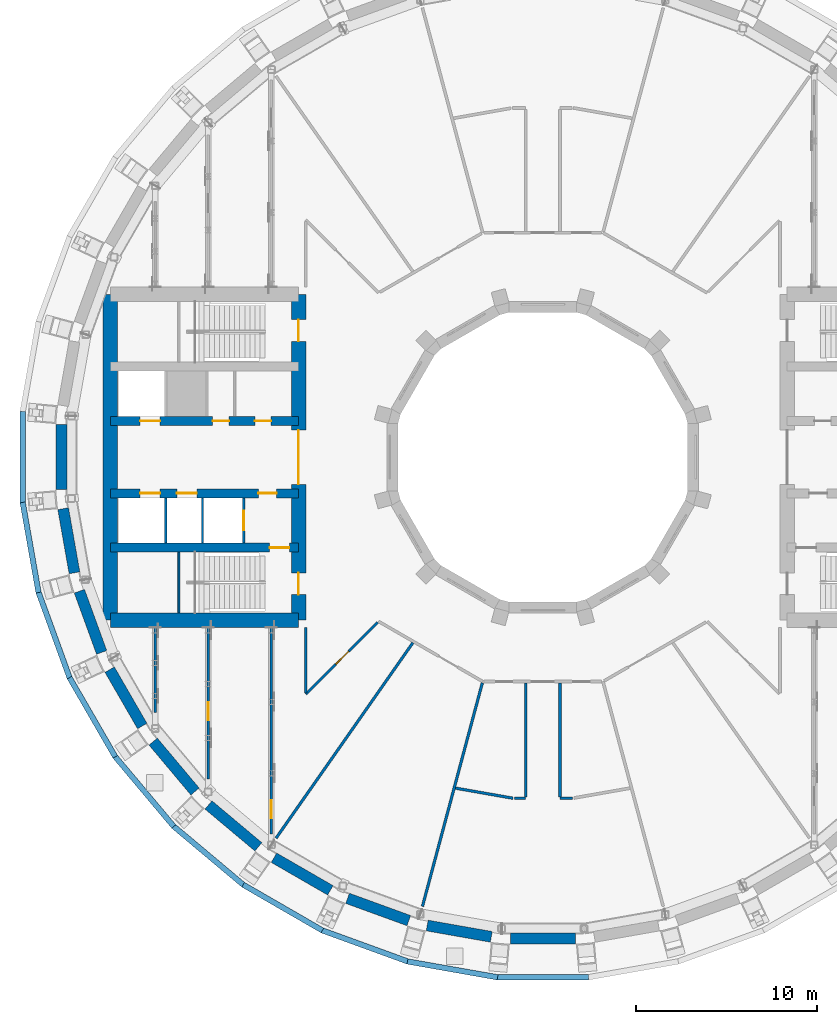
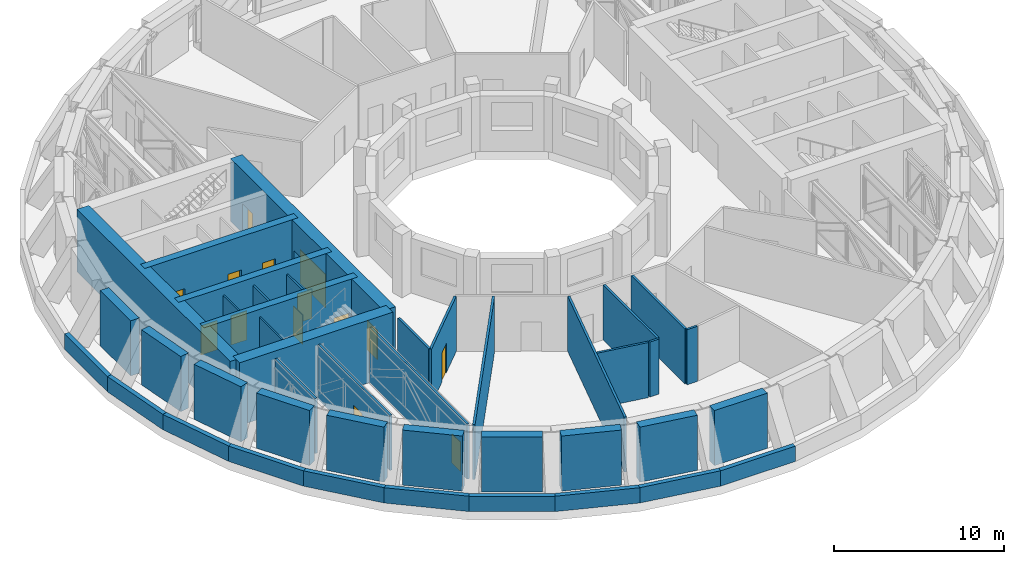
# One storey, part 9 of 19: 42 walls, 14 doors, 14 openings.
"""IFC4 building model written with IfcOpenShell, lengths in metres."""

from ifc_helpers import new_model, si_unit, direction, frame, frame_2d, origin, place, context, subcontext, project, spatial, rectangle, extrude, material, layer, layer_set, type_object, element, fill, save


model = new_model("IFC4")

# Units and contexts
model_context = context("Model", 3, precision=1e-05, world=origin(), true_north=direction((0.0, 1.0)))
body_context = subcontext(model_context, "Body", "Model", "MODEL_VIEW")
ifc_project = project(units=[si_unit("LENGTHUNIT", "METRE"), si_unit("AREAUNIT", "SQUARE_METRE"), si_unit("VOLUMEUNIT", "CUBIC_METRE"), si_unit("PLANEANGLEUNIT", "RADIAN"), si_unit("MASSUNIT", "GRAM", prefix="KILO")], contexts=[model_context])

# Site, building, storey
site_placement = place(None, origin())
site = spatial("IfcSite", under=ifc_project, at=site_placement, CompositionType="ELEMENT")
building_placement = place(site_placement, origin())
building = spatial("IfcBuilding", under=site, at=building_placement, Name="Saqina Gate Tower", CompositionType="ELEMENT")
storey_placement = place(building_placement, frame((0.0, 0.0, 82.39990234375)))
storey = spatial("IfcBuildingStorey", under=building, at=storey_placement, Name="L23", CompositionType="ELEMENT", Elevation=82.39990234375)

# Walls
ifc_material_1 = material(Name="Brick masonry (buff)", Category="masonry")
ifc_layer_1 = layer(ifc_material_1, 0.60009765625)
ifc_layer_set_1 = layer_set([ifc_layer_1], Name="FW-BRICK-BUFF")
wall_type_1 = type_object("IfcWallType", Name="FW-BRICK-BUFF", PredefinedType="SOLIDWALL", material=ifc_layer_set_1)
for number, where, z_axis, x_axis, name in (
    (1, (-23.933349609375, -11.74072265625, 0.0), (0.0, 0.0, 1.0), (0.499992664208, -0.866029639064, 0.0), "Facade wall L23 facet 21"),
    (2, (-21.531005859375, -15.718505859375, 0.0), (0.0, 0.0, 1.0), (0.642797301232, -0.766036310843, 0.0), "Facade wall L23 facet 22"),
    (3, (-18.474365234375, -19.218505859375, 0.0), (0.0, 0.0, 1.0), (0.766036310843, -0.642797301232, 0.0), "Facade wall L23 facet 23"),
    (4, (-14.8564453125, -22.134521484375, 0.0), (0.0, 0.0, 1.0), (0.866029639064, -0.499992664208, 0.0), "Facade wall L23 facet 24"),
    (5, (-10.787109375, -24.3779296875, 0.0), (0.0, 0.0, 1.0), (0.939690348845, -0.342026385367, 0.0), "Facade wall L23 facet 25"),
    (6, (-6.39013671875, -25.880859375, 0.0), (0.0, 0.0, 1.0), (0.984806095124, -0.173657579756, 0.0), "Facade wall L23 facet 26"),
    (7, (-1.798828125, -26.59716796875, 0.0), (0.0, 0.0, 1.0), (1.0, 0.0, 0.0), "Facade wall L23 facet 27"),
):
    element("IfcWall", number, at=place(storey_placement, frame(where, z_axis=z_axis, x_axis=x_axis)), inside=storey, type_object=wall_type_1, Name=name, PredefinedType="SOLIDWALL", context=body_context, shape_type="SweptSolid", body=[
        extrude(rectangle(XDim=3.59765625, YDim=0.60009765625, at=frame_2d((1.798828125, 0.0))), origin(), (0.0, 0.0, 1.0), 3.9501953125),
    ])
ifc_material_2 = material(Name="Glazed ceramic tile", Category="ceramic")
ifc_layer_2 = layer(ifc_material_2, 0.60009765625)
ifc_layer_set_2 = layer_set([ifc_layer_2], Name="FW-TILE")
wall_type_2 = type_object("IfcWallType", Name="FW-TILE", PredefinedType="SOLIDWALL", material=ifc_layer_set_2)
for number, where, z_axis, x_axis, name in (
    (8, (-26.59716796875, 1.798828125, 0.0), (0.0, 0.0, 1.0), (0.0, -1.0, 0.0), "Facade wall L23 facet 18"),
    (9, (-25.6083984375, -7.406494140625, 0.0), (0.0, 0.0, 1.0), (0.342026385367, -0.939690348845, 0.0), "Facade wall L23 facet 20"),
):
    element("IfcWall", number, at=place(storey_placement, frame(where, z_axis=z_axis, x_axis=x_axis)), inside=storey, type_object=wall_type_2, Name=name, PredefinedType="SOLIDWALL", context=body_context, shape_type="SweptSolid", body=[
        extrude(rectangle(XDim=3.59765625, YDim=0.60009765625, at=frame_2d((1.798828125, 0.0))), origin(), (0.0, 0.0, 1.0), 3.9501953125),
    ])
ifc_material_3 = material(Name="Glazed ceramic tile (dark blue)", Category="ceramic")
ifc_layer_3 = layer(ifc_material_3, 0.60009765625)
ifc_layer_set_3 = layer_set([ifc_layer_3], Name="FW-TILE-CB")
wall_type_3 = type_object("IfcWallType", Name="FW-TILE-CB", PredefinedType="SOLIDWALL", material=ifc_layer_set_3)
wall_1_placement = place(storey_placement, frame((-26.505615234375, -2.84716796875, 0.0), z_axis=(0.0, 0.0, 1.0), x_axis=(0.173657579756, -0.984806095124, 0.0)))
element("IfcWall", 10, at=wall_1_placement, inside=storey, type_object=wall_type_3, Name="Facade wall L23 facet 19", PredefinedType="SOLIDWALL", context=body_context, shape_type="SweptSolid", body=[
    extrude(rectangle(XDim=3.59765625, YDim=0.60009765625, at=frame_2d((1.798828125, 0.0))), origin(), (0.0, 0.0, 1.0), 3.9501953125),
])
ifc_material_4 = material(Name="Brick masonry (buff)", Category="masonry")
ifc_layer_4 = layer(ifc_material_4, 0.300048828125)
ifc_layer_set_4 = layer_set([ifc_layer_4], Name="PA-ROOF")
wall_type_4 = type_object("IfcWallType", Name="PA-ROOF", PredefinedType="PARAPET", material=ifc_layer_set_4)
for number, where, z_axis, x_axis, name in (
    (11, (-28.739501953125, 2.527587890625, 0.0), (0.0, 0.0, 1.0), (0.0, -1.0, 0.0), "Parapet L23 edge 18"),
    (12, (-28.741943359375, -2.50146484375, 0.0), (0.0, 0.0, 1.0), (0.173672372016, -0.984803486589, 0.0), "Parapet L23 edge 19"),
):
    element("IfcWall", number, at=place(storey_placement, frame(where, z_axis=z_axis, x_axis=x_axis)), inside=storey, type_object=wall_type_4, Name=name, PredefinedType="PARAPET", context=body_context, shape_type="SweptSolid", body=[
        extrude(rectangle(XDim=5.05517578125, YDim=0.300048828125, at=frame_2d((2.527587890625, 0.0))), origin(), (0.0, 0.0, 1.0), 1.10009765625),
    ])
for number, where, z_axis, x_axis, name in (
    (13, (-27.870849609375, -7.454345703125, 0.0), (0.0, 0.0, 1.0), (0.341987354158, -0.939704554419, 0.0), "Parapet L23 edge 20"),
    (14, (-26.153076171875, -12.180908203125, 0.0), (0.0, 0.0, 1.0), (0.500019282102, -0.866014270972, 0.0), "Parapet L23 edge 21"),
    (15, (-23.640380859375, -16.537353515625, 0.0), (0.0, 0.0, 1.0), (0.64278876462, -0.766043474013, 0.0), "Parapet L23 edge 22"),
    (16, (-20.40966796875, -20.39111328125, 0.0), (0.0, 0.0, 1.0), (0.766043474013, -0.64278876462, 0.0), "Parapet L23 edge 23"),
    (17, (-16.55859375, -23.62548828125, 0.0), (0.0, 0.0, 1.0), (0.866014270972, -0.500019282102, 0.0), "Parapet L23 edge 24"),
    (18, (-12.20458984375, -26.14208984375, 0.0), (0.0, 0.0, 1.0), (0.939704554419, -0.341987354158, 0.0), "Parapet L23 edge 25"),
):
    element("IfcWall", number, at=place(storey_placement, frame(where, z_axis=z_axis, x_axis=x_axis)), inside=storey, type_object=wall_type_4, Name=name, PredefinedType="PARAPET", context=body_context, shape_type="SweptSolid", body=[
        extrude(rectangle(XDim=5.054931640625, YDim=0.300048828125, at=frame_2d((2.52734375, 0.0))), origin(), (0.0, 0.0, 1.0), 1.10009765625),
    ])
for number, where, z_axis, x_axis, name in (
    (19, (-7.479736328125, -27.864013671875, 0.0), (0.0, 0.0, 1.0), (0.984803486589, -0.173672372016, 0.0), "Parapet L23 edge 26"),
    (20, (-2.527587890625, -28.739501953125, 0.0), (0.0, 0.0, 1.0), (1.0, 0.0, 0.0), "Parapet L23 edge 27"),
):
    element("IfcWall", number, at=place(storey_placement, frame(where, z_axis=z_axis, x_axis=x_axis)), inside=storey, type_object=wall_type_4, Name=name, PredefinedType="PARAPET", context=body_context, shape_type="SweptSolid", body=[
        extrude(rectangle(XDim=5.05517578125, YDim=0.300048828125, at=frame_2d((2.527587890625, 0.0))), origin(), (0.0, 0.0, 1.0), 1.10009765625),
    ])

# Wall, opening, door
ifc_material_5 = material(Name="Autoclaved aerated concrete block", Category="concrete")
ifc_layer_5 = layer(ifc_material_5, 0.1201171875)
ifc_layer_set_5 = layer_set([ifc_layer_5], Name="SHAFT PARTITION")
wall_type_5 = type_object("IfcWallType", Name="SHAFT PARTITION", PredefinedType="PARTITIONING", material=ifc_layer_set_5)
wall_2_placement = place(storey_placement, frame((-16.530029296875, -4.75, 0.0), z_axis=(0.0, 0.0, 1.0), x_axis=(0.0, 1.0, 0.0)))
wall_2 = element("IfcWall", 21, at=wall_2_placement, inside=storey, type_object=wall_type_5, Name="L23-CP-W04", PredefinedType="PARTITIONING", context=body_context, shape_type="SweptSolid", body=[
    extrude(rectangle(XDim=2.5, YDim=0.1201171875, at=frame_2d((1.25, 0.0))), origin(), (0.0, 0.0, 1.0), 3.9501953125),
])
opening_1_placement = place(wall_2_placement, frame((0.699951171875, 0.0, 0.0)))
opening_1 = element("IfcOpeningElement", 22, at=opening_1_placement, cuts=wall_2, Name="Opening L23-LD6", PredefinedType="OPENING", context=body_context, shape_type="SweptSolid", body=[
    extrude(rectangle(XDim=1.10009765625, YDim=2.10009765625, at=frame_2d((0.550048828125, 1.050048828125))), frame((0.0, 0.072021484375, 0.0), z_axis=(0.0, -1.0, 0.0), x_axis=(1.0, 0.0, 0.0)), (0.0, 0.0, 1.0), 0.14404296875),
])
ifc_material_6 = material(Name="Stainless steel", Category="steel")
door_type_1 = type_object("IfcDoorType", Name="LANDING DOOR", OperationType="DOUBLE_DOOR_SLIDING", PredefinedType="DOOR", material=ifc_material_6)
door_1_placement = place(opening_1_placement, origin())
door_1 = element("IfcDoor", 23, at=door_1_placement, inside=storey, type_object=door_type_1, Name="LANDING DOOR FF2", OperationType="DOUBLE_DOOR_SLIDING", OverallHeight=2.10009765625, OverallWidth=1.10009765625, PredefinedType="DOOR", context=body_context, shape_type="SweptSolid", body=[
    extrude(rectangle(XDim=1.10009765625, YDim=2.10009765625, at=frame_2d((0.550048828125, 1.050048828125))), frame((0.0, 0.02490234375, 0.0), z_axis=(0.0, -1.0, 0.0), x_axis=(1.0, 0.0, 0.0)), (0.0, 0.0, 1.0), 0.050048828125),
])
fill(opening_1, door_1)

# Walls
for number, where, z_axis, x_axis, name in (
    (24, (-18.81005859375, -4.75, 0.0), (0.0, 0.0, 1.0), (0.0, 1.0, 0.0), "L23-CP-W05"),
    (25, (-20.840087890625, -4.75, 0.0), (0.0, 0.0, 1.0), (0.0, 1.0, 0.0), "L23-CP-W06"),
):
    element("IfcWall", number, at=place(storey_placement, frame(where, z_axis=z_axis, x_axis=x_axis)), inside=storey, type_object=wall_type_5, Name=name, PredefinedType="PARTITIONING", context=body_context, shape_type="SweptSolid", body=[
        extrude(rectangle(XDim=2.5, YDim=0.1201171875, at=frame_2d((1.25, 0.0))), origin(), (0.0, 0.0, 1.0), 3.9501953125),
    ])
ifc_material_7 = material(Name="Masonry block and plaster, 150 mm, fire rated", Category="masonry")
ifc_layer_6 = layer(ifc_material_7, 0.14990234375)
ifc_layer_set_6 = layer_set([ifc_layer_6], Name="SPECIAL PARTITION EI 60 150")
wall_type_6 = type_object("IfcWallType", Name="SPECIAL PARTITION EI 60 150", PredefinedType="PARTITIONING", material=ifc_layer_set_6)
wall_3_placement = place(storey_placement, frame((-4.822998046875, -18.2880859375, 0.0), z_axis=(0.0, 0.0, 1.0), x_axis=(0.984852116405, -0.173396392158, 0.0)))
element("IfcWall", 26, at=wall_3_placement, inside=storey, type_object=wall_type_6, Name="PARTITION 009", PredefinedType="PARTITIONING", context=body_context, shape_type="SweptSolid", body=[
    extrude(rectangle(XDim=3.222900390625, YDim=0.14990234375, at=frame_2d((1.611328125, 0.0))), origin(), (0.0, 0.0, 1.0), 3.9501953125),
])
wall_4_placement = place(storey_placement, frame((-1.573974609375, -18.846923828125, 0.0), z_axis=(0.0, 0.0, 1.0), x_axis=(1.0, 0.0, 0.0)))
element("IfcWall", 27, at=wall_4_placement, inside=storey, type_object=wall_type_6, Name="PARTITION 011", PredefinedType="PARTITIONING", context=body_context, shape_type="SweptSolid", body=[
    extrude(rectangle(XDim=0.6240234375, YDim=0.14990234375, at=frame_2d((0.31201171875, 0.0))), origin(), (0.0, 0.0, 1.0), 3.9501953125),
])
wall_5_placement = place(storey_placement, frame((0.949951171875, -18.846923828125, 0.0), z_axis=(0.0, 0.0, 1.0), x_axis=(1.0, 0.0, 0.0)))
element("IfcWall", 28, at=wall_5_placement, inside=storey, type_object=wall_type_6, Name="PARTITION 012", PredefinedType="PARTITIONING", context=body_context, shape_type="SweptSolid", body=[
    extrude(rectangle(XDim=0.698974609375, YDim=0.14990234375, at=frame_2d((0.349609375, 0.0))), origin(), (0.0, 0.0, 1.0), 3.9501953125),
])

# Wall, opening, door
wall_6_placement = place(storey_placement, frame((-13.10009765625, -13.10009765625, 0.0), z_axis=(0.0, 0.0, 1.0), x_axis=(0.707106781187, 0.707106781187, 0.0)))
wall_6 = element("IfcWall", 29, at=wall_6_placement, inside=storey, type_object=wall_type_6, Name="PARTITION 021", PredefinedType="PARTITIONING", context=body_context, shape_type="SweptSolid", body=[
    extrude(rectangle(XDim=5.61474609375, YDim=0.14990234375, at=frame_2d((2.807373046875, 0.0))), origin(), (0.0, 0.0, 1.0), 3.9501953125),
])
opening_2_placement = place(wall_6_placement, frame((2.3447265625, 0.0, 0.0)))
opening_2 = element("IfcOpeningElement", 30, at=opening_2_placement, cuts=wall_6, Name="Opening L23-D13", PredefinedType="OPENING", context=body_context, shape_type="SweptSolid", body=[
    extrude(rectangle(XDim=1.0, YDim=2.10009765625, at=frame_2d((0.5, 1.050048828125))), frame((0.0, 0.0869140625, 0.0), z_axis=(0.0, -1.0, 0.0), x_axis=(1.0, 0.0, 0.0)), (0.0, 0.0, 1.0), 0.173828125),
])
ifc_material_8 = material(Name="Steel-framed fire door leaf, EI 60", Category="steel")
door_type_2 = type_object("IfcDoorType", Name="SPECIAL DOOR 1000 FIRE EI 60", OperationType="SINGLE_SWING_LEFT", PredefinedType="DOOR", material=ifc_material_8)
door_2_placement = place(opening_2_placement, frame((1.0, 0.0, 0.0), z_axis=(0.0, 0.0, 1.0), x_axis=(-1.0, 0.0, 0.0)))
door_2 = element("IfcDoor", 31, at=door_2_placement, inside=storey, type_object=door_type_2, Name="DOOR L23-D13", OperationType="SINGLE_SWING_LEFT", OverallHeight=2.10009765625, OverallWidth=1.0, PredefinedType="DOOR", context=body_context, shape_type="SweptSolid", body=[
    extrude(rectangle(XDim=1.0, YDim=2.10009765625, at=frame_2d((0.5, 1.050048828125))), frame((0.0, 0.02490234375, 0.0), z_axis=(0.0, -1.0, 0.0), x_axis=(1.0, 0.0, 0.0)), (0.0, 0.0, 1.0), 0.050048828125),
])
fill(opening_2, door_2)

# Walls
wall_7_placement = place(storey_placement, frame((-14.740966796875, -21.052001953125, 0.0), z_axis=(0.0, 0.0, 1.0), x_axis=(0.573601596314, 0.819134426518, 0.0)))
element("IfcWall", 32, at=wall_7_placement, inside=storey, type_object=wall_type_6, Name="PARTITION 023", PredefinedType="PARTITIONING", context=body_context, shape_type="SweptSolid", body=[
    extrude(rectangle(XDim=13.177734375, YDim=0.14990234375, at=frame_2d((6.5888671875, 0.0))), origin(), (0.0, 0.0, 1.0), 3.9501953125),
])
wall_8_placement = place(storey_placement, frame((-6.652099609375, -24.823974609375, 0.0), z_axis=(0.0, 0.0, 1.0), x_axis=(0.258835334672, 0.965921461365, 0.0)))
element("IfcWall", 33, at=wall_8_placement, inside=storey, type_object=wall_type_6, Name="PARTITION 025", PredefinedType="PARTITIONING", context=body_context, shape_type="SweptSolid", body=[
    extrude(rectangle(XDim=12.787353515625, YDim=0.14990234375, at=frame_2d((6.3935546875, 0.0))), origin(), (0.0, 0.0, 1.0), 3.9501953125),
])
for number, where, z_axis, x_axis, name in (
    (34, (0.949951171875, -18.77197265625, 0.0), (0.0, 0.0, 1.0), (0.0, 1.0, 0.0), "PARTITION 035"),
    (35, (-0.949951171875, -18.77197265625, 0.0), (0.0, 0.0, 1.0), (0.0, 1.0, 0.0), "PARTITION 037"),
):
    element("IfcWall", number, at=place(storey_placement, frame(where, z_axis=z_axis, x_axis=x_axis)), inside=storey, type_object=wall_type_6, Name=name, PredefinedType="PARTITIONING", context=body_context, shape_type="SweptSolid", body=[
        extrude(rectangle(XDim=6.296875, YDim=0.14990234375, at=frame_2d((3.1484375, 0.0))), origin(), (0.0, 0.0, 1.0), 3.9501953125),
    ])
wall_9_placement = place(storey_placement, frame((-13.10009765625, -13.02490234375, 0.0), z_axis=(0.0, 0.0, 1.0), x_axis=(0.0, 1.0, 0.0)))
element("IfcWall", 36, at=wall_9_placement, inside=storey, type_object=wall_type_6, Name="PARTITION 039", PredefinedType="PARTITIONING", context=body_context, shape_type="SweptSolid", body=[
    extrude(rectangle(XDim=3.625, YDim=0.14990234375, at=frame_2d((1.8125, 0.0))), origin(), (0.0, 0.0, 1.0), 3.9501953125),
])

# Wall, opening, door
wall_10_placement = place(storey_placement, frame((-14.9990234375, -20.8359375, 0.0), z_axis=(0.0, 0.0, 1.0), x_axis=(0.0, 1.0, 0.0)))
wall_10 = element("IfcWall", 37, at=wall_10_placement, inside=storey, type_object=wall_type_6, Name="PARTITION 041", PredefinedType="PARTITIONING", context=body_context, shape_type="SweptSolid", body=[
    extrude(rectangle(XDim=11.43603515625, YDim=0.14990234375, at=frame_2d((5.718017578125, 0.0))), origin(), (0.0, 0.0, 1.0), 3.9501953125),
])
opening_3_placement = place(wall_10_placement, frame((0.890380859375, 0.0, 0.0)))
opening_3 = element("IfcOpeningElement", 38, at=opening_3_placement, cuts=wall_10, Name="Opening L23-D14", PredefinedType="OPENING", context=body_context, shape_type="SweptSolid", body=[
    extrude(rectangle(XDim=1.0, YDim=2.10009765625, at=frame_2d((0.5, 1.050048828125))), frame((0.0, 0.0869140625, 0.0), z_axis=(0.0, -1.0, 0.0), x_axis=(1.0, 0.0, 0.0)), (0.0, 0.0, 1.0), 0.173828125),
])
door_3_placement = place(opening_3_placement, frame((1.0, 0.0, 0.0), z_axis=(0.0, 0.0, 1.0), x_axis=(-1.0, 0.0, 0.0)))
door_3 = element("IfcDoor", 39, at=door_3_placement, inside=storey, type_object=door_type_2, Name="DOOR L23-D14", OperationType="SINGLE_SWING_RIGHT", OverallHeight=2.10009765625, OverallWidth=1.0, PredefinedType="DOOR", context=body_context, shape_type="SweptSolid", body=[
    extrude(rectangle(XDim=1.0, YDim=2.10009765625, at=frame_2d((0.5, 1.050048828125))), frame((0.0, 0.02490234375, 0.0), z_axis=(0.0, -1.0, 0.0), x_axis=(1.0, 0.0, 0.0)), (0.0, 0.0, 1.0), 0.050048828125),
])
fill(opening_3, door_3)

wall_11_placement = place(storey_placement, frame((-18.490966796875, -17.7939453125, 0.0), z_axis=(0.0, 0.0, 1.0), x_axis=(0.0, 1.0, 0.0)))
wall_11 = element("IfcWall", 40, at=wall_11_placement, inside=storey, type_object=wall_type_6, Name="PARTITION 043", PredefinedType="PARTITIONING", context=body_context, shape_type="SweptSolid", body=[
    extrude(rectangle(XDim=8.39404296875, YDim=0.14990234375, at=frame_2d((4.197021484375, 0.0))), origin(), (0.0, 0.0, 1.0), 3.9501953125),
])
opening_4_placement = place(wall_11_placement, frame((3.264404296875, 0.0, 0.0)))
opening_4 = element("IfcOpeningElement", 41, at=opening_4_placement, cuts=wall_11, Name="Opening L23-D12", PredefinedType="OPENING", context=body_context, shape_type="SweptSolid", body=[
    extrude(rectangle(XDim=1.0, YDim=2.10009765625, at=frame_2d((0.5, 1.050048828125))), frame((0.0, 0.0869140625, 0.0), z_axis=(0.0, -1.0, 0.0), x_axis=(1.0, 0.0, 0.0)), (0.0, 0.0, 1.0), 0.173828125),
])
door_4_placement = place(opening_4_placement, frame((1.0, 0.0, 0.0), z_axis=(0.0, 0.0, 1.0), x_axis=(-1.0, 0.0, 0.0)))
door_4 = element("IfcDoor", 42, at=door_4_placement, inside=storey, type_object=door_type_2, Name="DOOR L23-D12", OperationType="SINGLE_SWING_RIGHT", OverallHeight=2.10009765625, OverallWidth=1.0, PredefinedType="DOOR", context=body_context, shape_type="SweptSolid", body=[
    extrude(rectangle(XDim=1.0, YDim=2.10009765625, at=frame_2d((0.5, 1.050048828125))), frame((0.0, 0.02490234375, 0.0), z_axis=(0.0, -1.0, 0.0), x_axis=(1.0, 0.0, 0.0)), (0.0, 0.0, 1.0), 0.050048828125),
])
fill(opening_4, door_4)

# Walls
wall_12_placement = place(storey_placement, frame((-21.4208984375, -14.10205078125, 0.0), z_axis=(0.0, 0.0, 1.0), x_axis=(0.0, 1.0, 0.0)))
element("IfcWall", 43, at=wall_12_placement, inside=storey, type_object=wall_type_6, Name="PARTITION 046", PredefinedType="PARTITIONING", context=body_context, shape_type="SweptSolid", body=[
    extrude(rectangle(XDim=4.7021484375, YDim=0.14990234375, at=frame_2d((2.35107421875, 0.0))), origin(), (0.0, 0.0, 1.0), 3.9501953125),
])
ifc_material_9 = material(Name="Autoclaved aerated concrete block", Category="concrete")
ifc_layer_7 = layer(ifc_material_9, 0.10009765625)
ifc_layer_set_7 = layer_set([ifc_layer_7], Name="STAIR ENCLOSURE WALL")
wall_type_7 = type_object("IfcWallType", Name="STAIR ENCLOSURE WALL", PredefinedType="PARTITIONING", material=ifc_layer_set_7)
wall_13_placement = place(storey_placement, frame((-20.110107421875, -8.60009765625, 0.0), z_axis=(0.0, 0.0, 1.0), x_axis=(0.0, 1.0, 0.0)))
element("IfcWall", 44, at=wall_13_placement, inside=storey, type_object=wall_type_7, Name="L23-CP-W08", PredefinedType="PARTITIONING", context=body_context, shape_type="SweptSolid", body=[
    extrude(rectangle(XDim=3.35009765625, YDim=0.10009765625, at=frame_2d((1.675048828125, 0.0))), origin(), (0.0, 0.0, 1.0), 3.9501953125),
])

# Wall, opening, door
ifc_material_10 = material(Name="Concrete C70/85", Category="concrete")
ifc_layer_8 = layer(ifc_material_10, 0.5)
ifc_layer_set_8 = layer_set([ifc_layer_8], Name="Concrete C70/85")
wall_type_8 = type_object("IfcWallType", Name="STR-CORE WALL-B-I", PredefinedType="SHEAR", material=ifc_layer_set_8)
wall_14_placement = place(storey_placement, frame((-13.5, -5.0, 0.0), z_axis=(0.0, 0.0, 1.0), x_axis=(-1.0, 0.0, 0.0)))
wall_14 = element("IfcWall", 45, at=wall_14_placement, inside=storey, type_object=wall_type_8, Name="CORE WALL L23 W-X2", PredefinedType="SHEAR", context=body_context, shape_type="SweptSolid", body=[
    extrude(rectangle(XDim=10.39990234375, YDim=0.5, at=frame_2d((5.199951171875, 0.0))), origin(), (0.0, 0.0, 1.0), 4.5),
])
opening_5_placement = place(wall_14_placement, frame((0.5, 0.0, 0.0)))
opening_5 = element("IfcOpeningElement", 46, at=opening_5_placement, cuts=wall_14, Name="Opening L23-D100", PredefinedType="OPENING", context=body_context, shape_type="SweptSolid", body=[
    extrude(rectangle(XDim=1.10009765625, YDim=2.10009765625, at=frame_2d((0.550048828125, 1.050048828125))), frame((0.0, 0.261962890625, 0.0), z_axis=(0.0, -1.0, 0.0), x_axis=(1.0, 0.0, 0.0)), (0.0, 0.0, 1.0), 0.52392578125),
])
ifc_material_11 = material(Name="Steel", Category="steel")
door_type_3 = type_object("IfcDoorType", Name="FIRE LOBBY DOOR EI 60 WIDE", OperationType="SINGLE_SWING_LEFT", PredefinedType="DOOR", material=ifc_material_11)
door_5_placement = place(opening_5_placement, origin())
door_5 = element("IfcDoor", 47, at=door_5_placement, inside=storey, type_object=door_type_3, Name="L23-CD-W11", OperationType="SINGLE_SWING_LEFT", OverallHeight=2.10009765625, OverallWidth=1.10009765625, PredefinedType="DOOR", context=body_context, shape_type="SweptSolid", body=[
    extrude(rectangle(XDim=1.10009765625, YDim=2.10009765625, at=frame_2d((0.550048828125, 1.050048828125))), frame((0.0, 0.02490234375, 0.0), z_axis=(0.0, -1.0, 0.0), x_axis=(1.0, 0.0, 0.0)), (0.0, 0.0, 1.0), 0.050048828125),
])
fill(opening_5, door_5)

# Wall, openings, doors
wall_15_placement = place(storey_placement, frame((-13.5, 2.0, 0.0), z_axis=(0.0, 0.0, 1.0), x_axis=(-1.0, 0.0, 0.0)))
wall_15 = element("IfcWall", 48, at=wall_15_placement, inside=storey, type_object=wall_type_8, Name="CORE WALL L23 W-L1", PredefinedType="SHEAR", context=body_context, shape_type="SweptSolid", body=[
    extrude(rectangle(XDim=10.39990234375, YDim=0.5, at=frame_2d((5.199951171875, 0.0))), origin(), (0.0, 0.0, 1.0), 4.5),
])
opening_6_placement = place(wall_15_placement, frame((7.64990234375, 0.0, 0.0)))
opening_6 = element("IfcOpeningElement", 49, at=opening_6_placement, cuts=wall_15, Name="Opening L23-LD5", PredefinedType="OPENING", context=body_context, shape_type="SweptSolid", body=[
    extrude(rectangle(XDim=1.10009765625, YDim=2.10009765625, at=frame_2d((0.550048828125, 1.050048828125))), frame((0.0, 0.261962890625, 0.0), z_axis=(0.0, -1.0, 0.0), x_axis=(1.0, 0.0, 0.0)), (0.0, 0.0, 1.0), 0.52392578125),
])
opening_7_placement = place(wall_15_placement, frame((1.510986328125, 0.0, 0.0)))
opening_7 = element("IfcOpeningElement", 50, at=opening_7_placement, cuts=wall_15, Name="Opening L23-D97", PredefinedType="OPENING", context=body_context, shape_type="SweptSolid", body=[
    extrude(rectangle(XDim=0.89990234375, YDim=2.10009765625, at=frame_2d((0.449951171875, 1.050048828125))), frame((0.0, 0.261962890625, 0.0), z_axis=(0.0, -1.0, 0.0), x_axis=(1.0, 0.0, 0.0)), (0.0, 0.0, 1.0), 0.52392578125),
])
opening_8_placement = place(wall_15_placement, frame((3.841064453125, 0.0, 0.0)))
opening_8 = element("IfcOpeningElement", 51, at=opening_8_placement, cuts=wall_15, Name="Opening L23-D98", PredefinedType="OPENING", context=body_context, shape_type="SweptSolid", body=[
    extrude(rectangle(XDim=0.89990234375, YDim=2.10009765625, at=frame_2d((0.449951171875, 1.050048828125))), frame((0.0, 0.261962890625, 0.0), z_axis=(0.0, -1.0, 0.0), x_axis=(1.0, 0.0, 0.0)), (0.0, 0.0, 1.0), 0.52392578125),
])
door_6_placement = place(opening_6_placement, origin())
door_6 = element("IfcDoor", 52, at=door_6_placement, inside=storey, type_object=door_type_1, Name="LANDING DOOR LR4", OperationType="DOUBLE_DOOR_SLIDING", OverallHeight=2.10009765625, OverallWidth=1.10009765625, PredefinedType="DOOR", context=body_context, shape_type="SweptSolid", body=[
    extrude(rectangle(XDim=1.10009765625, YDim=2.10009765625, at=frame_2d((0.550048828125, 1.050048828125))), frame((0.0, 0.02490234375, 0.0), z_axis=(0.0, -1.0, 0.0), x_axis=(1.0, 0.0, 0.0)), (0.0, 0.0, 1.0), 0.050048828125),
])
fill(opening_6, door_6)
ifc_material_12 = material(Name="Steel-framed fire door leaf, EI 60", Category="steel")
door_type_4 = type_object("IfcDoorType", Name="SERVICE ROOM DOOR 900", OperationType="SINGLE_SWING_LEFT", PredefinedType="DOOR", material=ifc_material_12)
door_7_placement = place(opening_7_placement, frame((0.89990234375, 0.0, 0.0), z_axis=(0.0, 0.0, 1.0), x_axis=(-1.0, 0.0, 0.0)))
door_7 = element("IfcDoor", 53, at=door_7_placement, inside=storey, type_object=door_type_4, Name="L23-CD-W08", OperationType="SINGLE_SWING_RIGHT", OverallHeight=2.10009765625, OverallWidth=0.89990234375, PredefinedType="DOOR", context=body_context, shape_type="SweptSolid", body=[
    extrude(rectangle(XDim=0.89990234375, YDim=2.10009765625, at=frame_2d((0.449951171875, 1.050048828125))), frame((0.0, 0.02490234375, 0.0), z_axis=(0.0, -1.0, 0.0), x_axis=(1.0, 0.0, 0.0)), (0.0, 0.0, 1.0), 0.050048828125),
])
fill(opening_7, door_7)
door_8_placement = place(opening_8_placement, frame((0.89990234375, 0.0, 0.0), z_axis=(0.0, 0.0, 1.0), x_axis=(-1.0, 0.0, 0.0)))
door_8 = element("IfcDoor", 54, at=door_8_placement, inside=storey, type_object=door_type_4, Name="L23-CD-W09", OperationType="SINGLE_SWING_LEFT", OverallHeight=2.10009765625, OverallWidth=0.89990234375, PredefinedType="DOOR", context=body_context, shape_type="SweptSolid", body=[
    extrude(rectangle(XDim=0.89990234375, YDim=2.10009765625, at=frame_2d((0.449951171875, 1.050048828125))), frame((0.0, 0.02490234375, 0.0), z_axis=(0.0, -1.0, 0.0), x_axis=(1.0, 0.0, 0.0)), (0.0, 0.0, 1.0), 0.050048828125),
])
fill(opening_8, door_8)

wall_16_placement = place(storey_placement, frame((-13.5, -2.0, 0.0), z_axis=(0.0, 0.0, 1.0), x_axis=(-1.0, 0.0, 0.0)))
wall_16 = element("IfcWall", 55, at=wall_16_placement, inside=storey, type_object=wall_type_8, Name="CORE WALL L23 W-L2", PredefinedType="SHEAR", context=body_context, shape_type="SweptSolid", body=[
    extrude(rectangle(XDim=10.39990234375, YDim=0.5, at=frame_2d((5.199951171875, 0.0))), origin(), (0.0, 0.0, 1.0), 4.5),
])
opening_9_placement = place(wall_16_placement, frame((5.6201171875, 0.0, 0.0)))
opening_9 = element("IfcOpeningElement", 56, at=opening_9_placement, cuts=wall_16, Name="Opening L23-LD7", PredefinedType="OPENING", context=body_context, shape_type="SweptSolid", body=[
    extrude(rectangle(XDim=1.10009765625, YDim=2.10009765625, at=frame_2d((0.550048828125, 1.050048828125))), frame((0.0, 0.261962890625, 0.0), z_axis=(0.0, -1.0, 0.0), x_axis=(1.0, 0.0, 0.0)), (0.0, 0.0, 1.0), 0.52392578125),
])
opening_10_placement = place(wall_16_placement, frame((7.64990234375, 0.0, 0.0)))
opening_10 = element("IfcOpeningElement", 57, at=opening_10_placement, cuts=wall_16, Name="Opening L23-LD8", PredefinedType="OPENING", context=body_context, shape_type="SweptSolid", body=[
    extrude(rectangle(XDim=1.10009765625, YDim=2.10009765625, at=frame_2d((0.550048828125, 1.050048828125))), frame((0.0, 0.261962890625, 0.0), z_axis=(0.0, -1.0, 0.0), x_axis=(1.0, 0.0, 0.0)), (0.0, 0.0, 1.0), 0.52392578125),
])
opening_11_placement = place(wall_16_placement, frame((1.215087890625, 0.0, 0.0)))
opening_11 = element("IfcOpeningElement", 58, at=opening_11_placement, cuts=wall_16, Name="Opening L23-D99", PredefinedType="OPENING", context=body_context, shape_type="SweptSolid", body=[
    extrude(rectangle(XDim=1.0, YDim=2.10009765625, at=frame_2d((0.5, 1.050048828125))), frame((0.0, 0.261962890625, 0.0), z_axis=(0.0, -1.0, 0.0), x_axis=(1.0, 0.0, 0.0)), (0.0, 0.0, 1.0), 0.52392578125),
])
ifc_material_13 = material(Name="Steel", Category="steel")
door_type_5 = type_object("IfcDoorType", Name="FIRE LOBBY DOOR EI 60", OperationType="SINGLE_SWING_LEFT", PredefinedType="DOOR", material=ifc_material_13)
door_9_placement = place(opening_11_placement, frame((1.0, 0.0, 0.0), z_axis=(0.0, 0.0, 1.0), x_axis=(-1.0, 0.0, 0.0)))
door_9 = element("IfcDoor", 59, at=door_9_placement, inside=storey, type_object=door_type_5, Name="L23-CD-W10", OperationType="SINGLE_SWING_RIGHT", OverallHeight=2.10009765625, OverallWidth=1.0, PredefinedType="DOOR", context=body_context, shape_type="SweptSolid", body=[
    extrude(rectangle(XDim=1.0, YDim=2.10009765625, at=frame_2d((0.5, 1.050048828125))), frame((0.0, 0.02490234375, 0.0), z_axis=(0.0, -1.0, 0.0), x_axis=(1.0, 0.0, 0.0)), (0.0, 0.0, 1.0), 0.050048828125),
])
fill(opening_11, door_9)
door_10_placement = place(opening_9_placement, origin())
door_10 = element("IfcDoor", 60, at=door_10_placement, inside=storey, type_object=door_type_1, Name="LANDING DOOR LR6", OperationType="DOUBLE_DOOR_SLIDING", OverallHeight=2.10009765625, OverallWidth=1.10009765625, PredefinedType="DOOR", context=body_context, shape_type="SweptSolid", body=[
    extrude(rectangle(XDim=1.10009765625, YDim=2.10009765625, at=frame_2d((0.550048828125, 1.050048828125))), frame((0.0, 0.02490234375, 0.0), z_axis=(0.0, -1.0, 0.0), x_axis=(1.0, 0.0, 0.0)), (0.0, 0.0, 1.0), 0.050048828125),
])
fill(opening_9, door_10)
door_11_placement = place(opening_10_placement, origin())
door_11 = element("IfcDoor", 61, at=door_11_placement, inside=storey, type_object=door_type_1, Name="LANDING DOOR LR5", OperationType="DOUBLE_DOOR_SLIDING", OverallHeight=2.10009765625, OverallWidth=1.10009765625, PredefinedType="DOOR", context=body_context, shape_type="SweptSolid", body=[
    extrude(rectangle(XDim=1.10009765625, YDim=2.10009765625, at=frame_2d((0.550048828125, 1.050048828125))), frame((0.0, 0.02490234375, 0.0), z_axis=(0.0, -1.0, 0.0), x_axis=(1.0, 0.0, 0.0)), (0.0, 0.0, 1.0), 0.050048828125),
])
fill(opening_10, door_11)

ifc_material_14 = material(Name="Concrete C70/85", Category="concrete")
ifc_layer_9 = layer(ifc_material_14, 0.800048828125)
ifc_layer_set_9 = layer_set([ifc_layer_9], Name="Concrete C70/85")
wall_type_9 = type_object("IfcWallType", Name="STR-CORE WALL-B-O", PredefinedType="SHEAR", material=ifc_layer_set_9)
wall_17_placement = place(storey_placement, frame((-13.5, -9.0, 0.0), z_axis=(0.0, 0.0, 1.0), x_axis=(0.0, 1.0, 0.0)))
wall_17 = element("IfcWall", 62, at=wall_17_placement, inside=storey, type_object=wall_type_9, Name="CORE WALL L23 W-W1", PredefinedType="SHEAR", context=body_context, shape_type="SweptSolid", body=[
    extrude(rectangle(XDim=18.0, YDim=0.800048828125, at=frame_2d((9.0, 0.0))), origin(), (0.0, 0.0, 1.0), 4.5),
])
opening_12_placement = place(wall_17_placement, frame((15.39990234375, 0.0, 0.0)))
opening_12 = element("IfcOpeningElement", 63, at=opening_12_placement, cuts=wall_17, Name="Opening L23-D101", PredefinedType="OPENING", context=body_context, shape_type="SweptSolid", body=[
    extrude(rectangle(XDim=1.199951171875, YDim=2.10009765625, at=frame_2d((0.60009765625, 1.050048828125))), frame((0.0, 0.412109375, 0.0), z_axis=(0.0, -1.0, 0.0), x_axis=(1.0, 0.0, 0.0)), (0.0, 0.0, 1.0), 0.823974609375),
])
opening_13_placement = place(wall_17_placement, frame((1.39990234375, 0.0, 0.0)))
opening_13 = element("IfcOpeningElement", 64, at=opening_13_placement, cuts=wall_17, Name="Opening L23-D102", PredefinedType="OPENING", context=body_context, shape_type="SweptSolid", body=[
    extrude(rectangle(XDim=1.199951171875, YDim=2.10009765625, at=frame_2d((0.60009765625, 1.050048828125))), frame((0.0, 0.412109375, 0.0), z_axis=(0.0, -1.0, 0.0), x_axis=(1.0, 0.0, 0.0)), (0.0, 0.0, 1.0), 0.823974609375),
])
opening_14_placement = place(wall_17_placement, frame((7.5, 0.0, 0.0)))
opening_14 = element("IfcOpeningElement", 65, at=opening_14_placement, cuts=wall_17, Name="Opening L23-D103", PredefinedType="OPENING", context=body_context, shape_type="SweptSolid", body=[
    extrude(rectangle(XDim=3.0, YDim=2.39990234375, at=frame_2d((1.5, 1.199951171875))), frame((0.0, 0.412109375, 0.0), z_axis=(0.0, -1.0, 0.0), x_axis=(1.0, 0.0, 0.0)), (0.0, 0.0, 1.0), 0.823974609375),
])
ifc_material_15 = material(Name="Steel", Category="steel")
door_type_6 = type_object("IfcDoorType", Name="FIRE DOOR EI 60", OperationType="SINGLE_SWING_LEFT", PredefinedType="DOOR", material=ifc_material_15)
door_12_placement = place(opening_12_placement, origin())
door_12 = element("IfcDoor", 66, at=door_12_placement, inside=storey, type_object=door_type_6, Name="L23-CD-W12", OperationType="SINGLE_SWING_RIGHT", OverallHeight=2.10009765625, OverallWidth=1.199951171875, PredefinedType="DOOR", context=body_context, shape_type="SweptSolid", body=[
    extrude(rectangle(XDim=1.199951171875, YDim=2.10009765625, at=frame_2d((0.60009765625, 1.050048828125))), frame((0.0, 0.02490234375, 0.0), z_axis=(0.0, -1.0, 0.0), x_axis=(1.0, 0.0, 0.0)), (0.0, 0.0, 1.0), 0.050048828125),
])
fill(opening_12, door_12)
door_13_placement = place(opening_13_placement, origin())
door_13 = element("IfcDoor", 67, at=door_13_placement, inside=storey, type_object=door_type_6, Name="L23-CD-W13", OperationType="SINGLE_SWING_LEFT", OverallHeight=2.10009765625, OverallWidth=1.199951171875, PredefinedType="DOOR", context=body_context, shape_type="SweptSolid", body=[
    extrude(rectangle(XDim=1.199951171875, YDim=2.10009765625, at=frame_2d((0.60009765625, 1.050048828125))), frame((0.0, 0.02490234375, 0.0), z_axis=(0.0, -1.0, 0.0), x_axis=(1.0, 0.0, 0.0)), (0.0, 0.0, 1.0), 0.050048828125),
])
fill(opening_13, door_13)
ifc_material_16 = material(Name="Steel and fire-resisting glass", Category="steel")
door_type_7 = type_object("IfcDoorType", Name="LOBBY SCREEN DOOR", OperationType="DOUBLE_DOOR_SLIDING", PredefinedType="DOOR", material=ifc_material_16)
door_14_placement = place(opening_14_placement, origin())
door_14 = element("IfcDoor", 68, at=door_14_placement, inside=storey, type_object=door_type_7, Name="L23-CD-W14", OperationType="DOUBLE_DOOR_SLIDING", OverallHeight=2.39990234375, OverallWidth=3.0, PredefinedType="DOOR", context=body_context, shape_type="SweptSolid", body=[
    extrude(rectangle(XDim=3.0, YDim=2.39990234375, at=frame_2d((1.5, 1.199951171875))), frame((0.0, 0.02490234375, 0.0), z_axis=(0.0, -1.0, 0.0), x_axis=(1.0, 0.0, 0.0)), (0.0, 0.0, 1.0), 0.050048828125),
])
fill(opening_14, door_14)

# Walls
wall_18_placement = place(storey_placement, frame((-23.89990234375, -9.0, 0.0), z_axis=(0.0, 0.0, 1.0), x_axis=(0.0, 1.0, 0.0)))
element("IfcWall", 69, at=wall_18_placement, inside=storey, type_object=wall_type_9, Name="CORE WALL L23 W-W2", PredefinedType="SHEAR", context=body_context, shape_type="SweptSolid", body=[
    extrude(rectangle(XDim=18.0, YDim=0.800048828125, at=frame_2d((9.0, 0.0))), origin(), (0.0, 0.0, 1.0), 4.5),
])
wall_19_placement = place(storey_placement, frame((-13.5, -9.0, 0.0), z_axis=(0.0, 0.0, 1.0), x_axis=(-1.0, 0.0, 0.0)))
element("IfcWall", 70, at=wall_19_placement, inside=storey, type_object=wall_type_9, Name="CORE WALL L23 W-SE", PredefinedType="SHEAR", context=body_context, shape_type="SweptSolid", body=[
    extrude(rectangle(XDim=10.39990234375, YDim=0.800048828125, at=frame_2d((5.199951171875, 0.0))), origin(), (0.0, 0.0, 1.0), 4.5),
])

save(model, "model.ifc")
